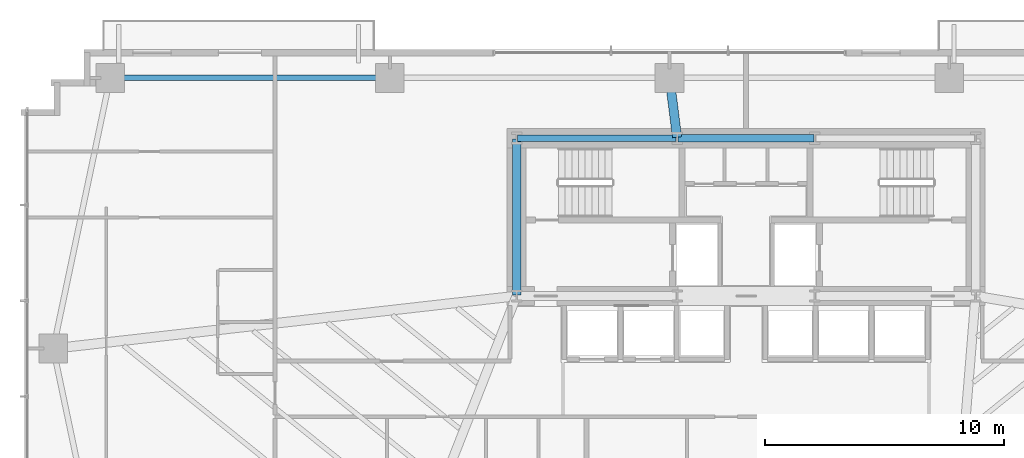
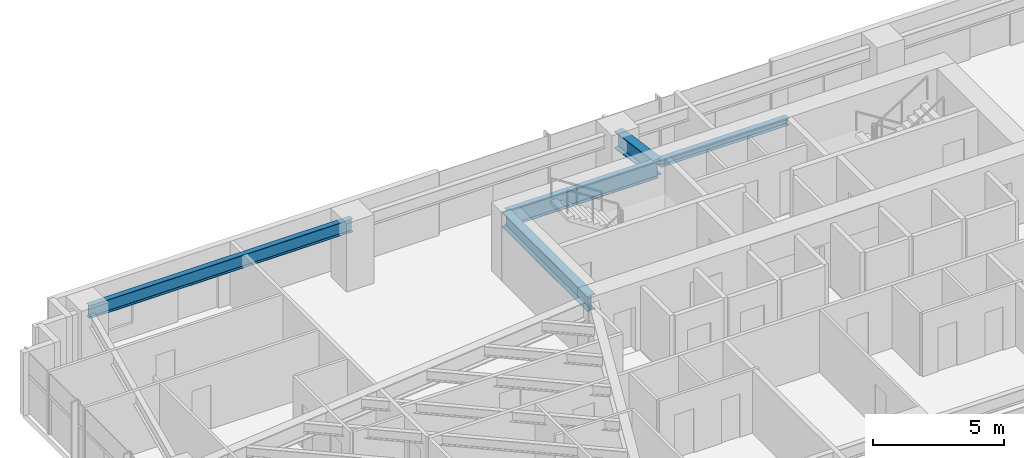
# One storey, part 9 of 25: 5 beams.
"""IFC4 building model written with IfcOpenShell, lengths in metres."""

import ifcopenshell
import ifcopenshell.guid

model = None  # the IFC model being written
_history = None  # IfcOwnerHistory: only IFC2X3 demands one
_inside = {}  # id of a spatial element -> (the spatial element, [elements in it])
_under = {}  # id of a project, library or spatial element -> (it, [spatial elements below it])
_declared = {}  # id of a project -> (the project, [libraries it declares])
_typed = {}  # id of a type object -> (the type object, [elements of that type])
_made_of = {}  # id of a material, layer set ... -> (it, [elements and type objects made of it])


def new_model(schema):
    """Start an empty IFC model of exactly this schema.

    Asked for "IFC4X3", IfcOpenShell would pick the latest addendum, in which some entities
    have other attributes; the version numbers below select the first issue.
    IFC2X3 requires an IfcOwnerHistory on every rooted entity: one is made here for all.
    """
    global model, _history
    if schema == "IFC4X3":
        model = ifcopenshell.file(schema_version=(4, 3, 0, 0))
    else:
        model = ifcopenshell.file(schema=schema)
    _inside.clear()
    _under.clear()
    _declared.clear()
    _typed.clear()
    _made_of.clear()
    _history = None
    if model.schema == "IFC2X3":
        org = make("IfcOrganization", Name="unknown")
        user = make(
            "IfcPersonAndOrganization",
            ThePerson=make("IfcPerson", FamilyName="unknown"),
            TheOrganization=org,
        )
        app = make(
            "IfcApplication",
            ApplicationDeveloper=org,
            Version="unknown",
            ApplicationFullName="unknown",
            ApplicationIdentifier="unknown",
        )
        _history = make(
            "IfcOwnerHistory",
            OwningUser=user,
            OwningApplication=app,
            ChangeAction="ADDED",
            CreationDate=0,
        )
    return model


def make(cls, **values):
    """One entity of the class cls with the attributes given. An attribute that is None is left unset."""
    return model.create_entity(
        cls, **{name: value for name, value in values.items() if value is not None}
    )


def rooted(cls, **values):
    """An entity with a GlobalId (a new one), such as an element, a storey or a relation."""
    return make(cls, GlobalId=ifcopenshell.guid.new(), OwnerHistory=_history, **values)


def si_unit(unit_type, name, prefix=None):
    """IfcSIUnit, for example si_unit("LENGTHUNIT", "METRE", prefix="MILLI")."""
    return make("IfcSIUnit", UnitType=unit_type, Prefix=prefix, Name=name)


def assignment(units):
    """IfcUnitAssignment: the units of a project."""
    return None if units is None else make("IfcUnitAssignment", Units=units)


def point(xyz):
    """IfcCartesianPoint."""
    return None if xyz is None else make("IfcCartesianPoint", Coordinates=xyz)


def direction(xyz):
    """IfcDirection."""
    return None if xyz is None else make("IfcDirection", DirectionRatios=xyz)


def frame(location, z_axis=None, x_axis=None):
    """IfcAxis2Placement3D, a coordinate frame: its origin and axes. An axis left out is left unset."""
    return make(
        "IfcAxis2Placement3D",
        Location=point(location),
        Axis=direction(z_axis),
        RefDirection=direction(x_axis),
    )


def frame_2d(location, x_axis=None):
    """IfcAxis2Placement2D, a coordinate frame in the plane: its origin and x axis."""
    return make(
        "IfcAxis2Placement2D", Location=point(location), RefDirection=direction(x_axis)
    )


def origin():
    """The frame at (0, 0, 0) with its axes left unset."""
    return frame((0.0, 0.0, 0.0))


def origin_2d():
    """The frame at (0, 0) in the plane with its x axis left unset."""
    return frame_2d((0.0, 0.0))


def place(relative_to, where):
    """IfcLocalPlacement: puts the frame where relative to a parent placement (None: the world)."""
    return make(
        "IfcLocalPlacement", PlacementRelTo=relative_to, RelativePlacement=where
    )


def context(
    kind, dimensions, precision=None, world=None, true_north=None, identifier=None
):
    """IfcGeometricRepresentationContext, for example the 3D "Model" context."""
    return make(
        "IfcGeometricRepresentationContext",
        ContextIdentifier=identifier,
        ContextType=kind,
        CoordinateSpaceDimension=dimensions,
        Precision=precision,
        WorldCoordinateSystem=world,
        TrueNorth=true_north,
    )


def subcontext(parent, identifier, kind, view, scale=None):
    """IfcGeometricRepresentationSubContext, for example "Body" below "Model"."""
    return make(
        "IfcGeometricRepresentationSubContext",
        ContextIdentifier=identifier,
        ContextType=kind,
        ParentContext=parent,
        TargetScale=scale,
        TargetView=view,
    )


def project(units=None, contexts=None):
    """IfcProject with its units and contexts."""
    return rooted(
        "IfcProject",
        Name="project",
        RepresentationContexts=contexts,
        UnitsInContext=assignment(units),
    )


def spatial(cls, under=None, at=None, **own):
    """A site, building, storey or space (cls), placed at a placement, below another one or the project."""
    s = rooted(cls, ObjectPlacement=at, **own)
    if under is not None:
        _under.setdefault(under.id(), (under, []))[1].append(s)
    return s


def profile(cls, at=None, kind="AREA", **sizes):
    """A parametric profile (cls). Its sizes go by their IFC names, for example OverallWidth=200.0."""
    return make(cls, ProfileType=kind, Position=at, **sizes)


def i_section(**sizes):
    """IfcIShapeProfileDef."""
    return profile("IfcIShapeProfileDef", **sizes)


def extrude(swept, where, along, depth):
    """IfcExtrudedAreaSolid: the profile swept, set in the frame where, extruded along a direction by depth."""
    return make(
        "IfcExtrudedAreaSolid",
        SweptArea=swept,
        Position=where,
        ExtrudedDirection=direction(along),
        Depth=depth,
    )


def shape(context_of_items, identifier, shape_type, items):
    """IfcShapeRepresentation: the items that make up one representation, for example the "Body"."""
    return make(
        "IfcShapeRepresentation",
        ContextOfItems=context_of_items,
        RepresentationIdentifier=identifier,
        RepresentationType=shape_type,
        Items=items,
    )


def source(mapping_origin, context_of_items, identifier, shape_type, items):
    """IfcRepresentationMap: a shape defined once, which mapped items show again and again."""
    return make(
        "IfcRepresentationMap",
        MappingOrigin=mapping_origin,
        MappedRepresentation=shape(context_of_items, identifier, shape_type, items),
    )


def transform(
    local_origin,
    x_axis=None,
    y_axis=None,
    z_axis=None,
    scale=None,
    scale2=None,
    scale3=None,
    uniform=True,
):
    """IfcCartesianTransformationOperator3D, or its non-uniform kind. x_axis, y_axis, z_axis: its Axis1, 2, 3."""
    if uniform:
        return make(
            "IfcCartesianTransformationOperator3D",
            Axis1=direction(x_axis),
            Axis2=direction(y_axis),
            LocalOrigin=point(local_origin),
            Scale=scale,
            Axis3=direction(z_axis),
        )
    return make(
        "IfcCartesianTransformationOperator3DnonUniform",
        Axis1=direction(x_axis),
        Axis2=direction(y_axis),
        LocalOrigin=point(local_origin),
        Scale=scale,
        Axis3=direction(z_axis),
        Scale2=scale2,
        Scale3=scale3,
    )


def mapped(mapping_source, mapping_target):
    """IfcMappedItem: shows the shape of a source again, moved by a transform."""
    return make(
        "IfcMappedItem", MappingSource=mapping_source, MappingTarget=mapping_target
    )


def material(Name=None, Category=None):
    """IfcMaterial."""
    return make("IfcMaterial", Name=Name, Category=Category)


def material_profile(
    of_material, cross_section, Name=None, Category=None, Priority=None
):
    """IfcMaterialProfile: a cross section and its material."""
    return make(
        "IfcMaterialProfile",
        Name=Name,
        Material=of_material,
        Profile=cross_section,
        Priority=Priority,
        Category=Category,
    )


def profile_set(profiles, Name=None, composite=None):
    """IfcMaterialProfileSet."""
    return make(
        "IfcMaterialProfileSet",
        Name=Name,
        MaterialProfiles=profiles,
        CompositeProfile=composite,
    )


def made_of(thing, what):
    """Note that an element or type object is made of a material, layer set ...; save() writes the relation."""
    if what is not None:
        _made_of.setdefault(what.id(), (what, []))[1].append(thing)
    return thing


def type_object(cls, material=None, **own):
    """A type object (cls), such as IfcWallType, which elements share."""
    return made_of(rooted(cls, **own), material)


def type_shapes(of_type, sources):
    """Give a type object the sources (RepresentationMaps) that its elements show as mapped items."""
    of_type.RepresentationMaps = sources


def element(
    cls,
    number,
    at=None,
    inside=None,
    cuts=None,
    type_object=None,
    material=None,
    context=None,
    identifier="Body",
    shape_type=None,
    held_by="IfcProductDefinitionShape",
    body=None,
    shapes=None,
    **own,
):
    """One element of the class cls, such as IfcWall. Its Tag is "e" and its number.

    at: its placement. inside: the storey or other place that contains it. cuts: it is an
    opening in that element (IfcRelVoidsElement). A single representation is given by context,
    identifier, shape_type and body (its items); several are given by shapes. held_by: the class
    of the entity that holds the representations. save() writes the other relations.
    """
    e = rooted(cls, Tag="e%d" % number, ObjectPlacement=at, **own)
    if body is not None:
        shapes = [shape(context, identifier, shape_type, body)]
    if shapes is not None:
        e.Representation = make(held_by, Representations=shapes)
    if inside is not None:
        _inside.setdefault(inside.id(), (inside, []))[1].append(e)
    if cuts is not None:
        rooted(
            "IfcRelVoidsElement", RelatingBuildingElement=cuts, RelatedOpeningElement=e
        )
    if type_object is not None:
        _typed.setdefault(type_object.id(), (type_object, []))[1].append(e)
    return made_of(e, material)


def aggregate(whole, parts):
    """IfcRelAggregates: a whole, such as a stair, and the parts it consists of."""
    return rooted("IfcRelAggregates", RelatingObject=whole, RelatedObjects=parts)


def save(model, path):
    """Write the relations noted so far, then the file.

    IfcRelAggregates (storeys below a building ...), IfcRelContainedInSpatialStructure (elements
    in a storey), IfcRelDefinesByType, IfcRelAssociatesMaterial and IfcRelDeclares: one each for
    every whole, place, type object, material and project.
    """
    for whole, parts in _under.values():
        aggregate(whole, parts)
    for where, things in _inside.values():
        rooted(
            "IfcRelContainedInSpatialStructure",
            RelatedElements=things,
            RelatingStructure=where,
        )
    for kind, things in _typed.values():
        rooted("IfcRelDefinesByType", RelatedObjects=things, RelatingType=kind)
    for what, things in _made_of.values():
        rooted("IfcRelAssociatesMaterial", RelatedObjects=things, RelatingMaterial=what)
    for by, libraries in _declared.values():
        rooted("IfcRelDeclares", RelatingContext=by, RelatedDefinitions=libraries)
    model.write(path)


model = new_model("IFC4")

# Units and contexts
model_context = context("Model", 3, precision=1e-05, world=origin(), true_north=direction((0.0, 1.0)))
body_context = subcontext(model_context, "Body", "Model", "MODEL_VIEW")
ifc_project = project(units=[si_unit("LENGTHUNIT", "METRE"), si_unit("AREAUNIT", "SQUARE_METRE"), si_unit("VOLUMEUNIT", "CUBIC_METRE"), si_unit("PLANEANGLEUNIT", "RADIAN"), si_unit("MASSUNIT", "GRAM", prefix="KILO")], contexts=[model_context])

# Site, building, storey
site_placement = place(None, origin())
site = spatial("IfcSite", under=ifc_project, at=site_placement, CompositionType="ELEMENT")
building_placement = place(site_placement, origin())
building = spatial("IfcBuilding", under=site, at=building_placement, Name="Astriad Promenade Condominiums", CompositionType="ELEMENT")
storey_placement = place(building_placement, frame((0.0, 0.0, 55.0)))
storey = spatial("IfcBuildingStorey", under=building, at=storey_placement, Name="L15", CompositionType="ELEMENT", Elevation=55.0)

# Beams
ifc_material = material(Name="Steel ASTM A992 Grade 50", Category="steel")
ifc_material_profile_1 = material_profile(ifc_material, i_section(OverallWidth=0.267822265625, OverallDepth=0.76953125, WebThickness=0.015625, FlangeThickness=0.025390625, FilletRadius=0.021484375, at=origin_2d()), Name="W30X132")
ifc_profile_set_1 = profile_set([ifc_material_profile_1], Name="Steel ASTM A992 Grade 50")
beam_type_1 = type_object("IfcBeamType", Name="STEEL FLOOR GIRDER W30X132", PredefinedType="BEAM", material=ifc_profile_set_1)
shared_shape_1 = source(origin(), body_context, "Body", "SweptSolid", [
    extrude(i_section(OverallWidth=0.267822265625, OverallDepth=0.76953125, WebThickness=0.015625, FlangeThickness=0.025390625, FilletRadius=0.021484375, at=origin_2d()), origin(), (0.0, 0.0, 1.0), 6.64013671875),
])
type_shapes(beam_type_1, [shared_shape_1])
beam_1_placement = place(storey_placement, frame((26.43994140625, 24.0, 2.55517578125), z_axis=(1.0, 0.0, 0.0), x_axis=(0.0, 1.0, 0.0)))
element("IfcBeam", 1, at=beam_1_placement, inside=storey, type_object=beam_type_1, Name="Core Ring Beam CG-N1-L15", PredefinedType="BEAM", context=body_context, shape_type="MappedRepresentation", body=[
    mapped(shared_shape_1, transform((0.0, 0.0, 0.0), scale=1.0)),
])
ifc_material_profile_2 = material_profile(ifc_material, i_section(OverallWidth=0.3046875, OverallDepth=0.307861328125, WebThickness=0.010009765625, FlangeThickness=0.015380859375, FilletRadius=0.01513671875, at=origin_2d()), Name="W12X65")
ifc_profile_set_2 = profile_set([ifc_material_profile_2], Name="Steel ASTM A992 Grade 50")
beam_type_2 = type_object("IfcBeamType", Name="STEEL OPENING LINTEL W12X65", PredefinedType="LINTEL", material=ifc_profile_set_2)
shared_shape_2 = source(origin(), body_context, "Body", "SweptSolid", [
    extrude(i_section(OverallWidth=0.3046875, OverallDepth=0.307861328125, WebThickness=0.010009765625, FlangeThickness=0.015380859375, FilletRadius=0.01513671875, at=origin_2d()), origin(), (0.0, 0.0, 1.0), 5.68017578125),
])
type_shapes(beam_type_2, [shared_shape_2])
beam_2_placement = place(storey_placement, frame((33.159912109375, 24.0, 2.7861328125), z_axis=(1.0, 0.0, 0.0), x_axis=(0.0, 1.0, 0.0)))
element("IfcBeam", 2, at=beam_2_placement, inside=storey, type_object=beam_type_2, Name="Core Ring Beam CG-N2-L15", PredefinedType="LINTEL", context=body_context, shape_type="MappedRepresentation", body=[
    mapped(shared_shape_2, transform((0.0, 0.0, 0.0), scale=1.0)),
])
ifc_material_profile_3 = material_profile(ifc_material, i_section(OverallWidth=0.35791015625, OverallDepth=0.706298828125, WebThickness=0.018310546875, FlangeThickness=0.0302734375, FilletRadius=0.020263671875, at=origin_2d()), Name="W27X178")
ifc_profile_set_3 = profile_set([ifc_material_profile_3], Name="Steel ASTM A992 Grade 50")
beam_type_3 = type_object("IfcBeamType", Name="STEEL FLOOR GIRDER W27X178", PredefinedType="BEAM", material=ifc_profile_set_3)
shared_shape_3 = source(origin(), body_context, "Body", "SweptSolid", [
    extrude(i_section(OverallWidth=0.35791015625, OverallDepth=0.706298828125, WebThickness=0.018310546875, FlangeThickness=0.0302734375, FilletRadius=0.020263671875, at=origin_2d()), origin(), (0.0, 0.0, 1.0), 6.52001953125),
])
type_shapes(beam_type_3, [shared_shape_3])
beam_3_placement = place(storey_placement, frame((26.39990234375, 17.43994140625, 2.5869140625), z_axis=(0.0, 1.0, 0.0), x_axis=(-1.0, 0.0, 0.0)))
element("IfcBeam", 3, at=beam_3_placement, inside=storey, type_object=beam_type_3, Name="Core Ring Beam CG-W1-L15", PredefinedType="BEAM", context=body_context, shape_type="MappedRepresentation", body=[
    mapped(shared_shape_3, transform((0.0, 0.0, 0.0), scale=1.0)),
])
ifc_material_profile_4 = material_profile(ifc_material, i_section(OverallWidth=0.22900390625, OverallDepth=0.612060546875, WebThickness=0.011962890625, FlangeThickness=0.01953125, FilletRadius=0.017822265625, at=origin_2d()), Name="W24X84")
ifc_profile_set_4 = profile_set([ifc_material_profile_4], Name="Steel ASTM A992 Grade 50")
beam_type_4 = type_object("IfcBeamType", Name="STEEL SPANDREL BEAM W24X84", PredefinedType="SPANDREL", material=ifc_profile_set_4)
shared_shape_4 = source(origin(), body_context, "Body", "SweptSolid", [
    extrude(i_section(OverallWidth=0.22900390625, OverallDepth=0.612060546875, WebThickness=0.011962890625, FlangeThickness=0.01953125, FilletRadius=0.017822265625, at=origin_2d()), origin(), (0.0, 0.0, 1.0), 11.6201171875),
])
type_shapes(beam_type_4, [shared_shape_4])
beam_4_placement = place(storey_placement, frame((21.06005859375, 26.52001953125, 2.6337890625), z_axis=(-1.0, 0.0, 0.0), x_axis=(0.0, -1.0, 0.0)))
element("IfcBeam", 4, at=beam_4_placement, inside=storey, type_object=beam_type_4, Name="Perimeter Spandrel Beam SP-N1-L15", PredefinedType="SPANDREL", context=body_context, shape_type="MappedRepresentation", body=[
    mapped(shared_shape_4, transform((0.0, 0.0, 0.0), scale=1.0)),
])
ifc_material_profile_5 = material_profile(ifc_material, i_section(OverallWidth=0.3837890625, OverallDepth=0.785888671875, WebThickness=0.019775390625, FlangeThickness=0.033447265625, FilletRadius=0.021484375, at=origin_2d()), Name="W30X211")
ifc_profile_set_5 = profile_set([ifc_material_profile_5], Name="Steel ASTM A992 Grade 50")
beam_type_5 = type_object("IfcBeamType", Name="STEEL FLOOR GIRDER W30X211", PredefinedType="BEAM", material=ifc_profile_set_5)
shared_shape_5 = source(origin(), body_context, "Body", "SweptSolid", [
    extrude(i_section(OverallWidth=0.3837890625, OverallDepth=0.785888671875, WebThickness=0.019775390625, FlangeThickness=0.033447265625, FilletRadius=0.021484375, at=origin_2d()), origin(), (0.0, 0.0, 1.0), 2.4599609375),
])
type_shapes(beam_type_5, [shared_shape_5])
beam_5_placement = place(storey_placement, frame((32.804931640625, 26.480224609375, 2.547119140625), z_axis=(0.126037648346, -0.992025458947, 0.0), x_axis=(0.992025458947, 0.126037648346, 0.0)))
element("IfcBeam", 5, at=beam_5_placement, inside=storey, type_object=beam_type_5, Name="Primary Floor Girder PG-NC-L15", PredefinedType="BEAM", context=body_context, shape_type="MappedRepresentation", body=[
    mapped(shared_shape_5, transform((0.0, 0.0, 0.0), scale=1.0)),
])

save(model, "model.ifc")
